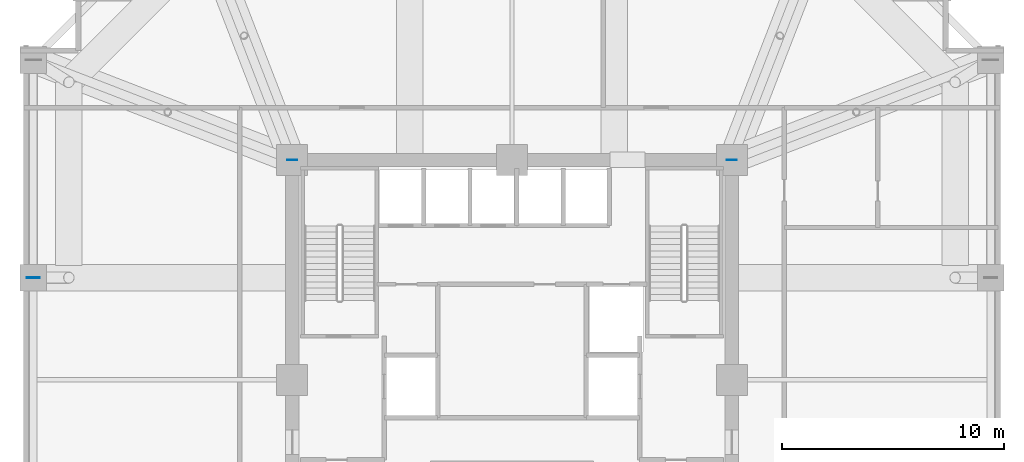
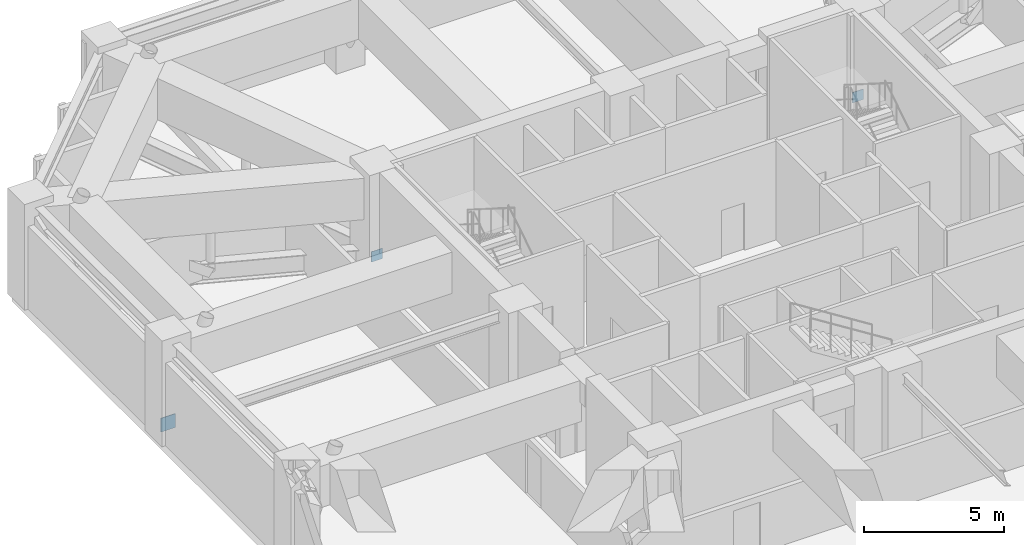
# One storey, part 9 of 15: 3 plates.
"""IFC4 building model written with IfcOpenShell, lengths in metres."""

import ifcopenshell
import ifcopenshell.guid

model = None  # the IFC model being written
_history = None  # IfcOwnerHistory: only IFC2X3 demands one
_inside = {}  # id of a spatial element -> (the spatial element, [elements in it])
_under = {}  # id of a project, library or spatial element -> (it, [spatial elements below it])
_declared = {}  # id of a project -> (the project, [libraries it declares])
_typed = {}  # id of a type object -> (the type object, [elements of that type])
_made_of = {}  # id of a material, layer set ... -> (it, [elements and type objects made of it])


def new_model(schema):
    """Start an empty IFC model of exactly this schema.

    Asked for "IFC4X3", IfcOpenShell would pick the latest addendum, in which some entities
    have other attributes; the version numbers below select the first issue.
    IFC2X3 requires an IfcOwnerHistory on every rooted entity: one is made here for all.
    """
    global model, _history
    if schema == "IFC4X3":
        model = ifcopenshell.file(schema_version=(4, 3, 0, 0))
    else:
        model = ifcopenshell.file(schema=schema)
    _inside.clear()
    _under.clear()
    _declared.clear()
    _typed.clear()
    _made_of.clear()
    _history = None
    if model.schema == "IFC2X3":
        org = make("IfcOrganization", Name="unknown")
        user = make(
            "IfcPersonAndOrganization",
            ThePerson=make("IfcPerson", FamilyName="unknown"),
            TheOrganization=org,
        )
        app = make(
            "IfcApplication",
            ApplicationDeveloper=org,
            Version="unknown",
            ApplicationFullName="unknown",
            ApplicationIdentifier="unknown",
        )
        _history = make(
            "IfcOwnerHistory",
            OwningUser=user,
            OwningApplication=app,
            ChangeAction="ADDED",
            CreationDate=0,
        )
    return model


def make(cls, **values):
    """One entity of the class cls with the attributes given. An attribute that is None is left unset."""
    return model.create_entity(
        cls, **{name: value for name, value in values.items() if value is not None}
    )


def rooted(cls, **values):
    """An entity with a GlobalId (a new one), such as an element, a storey or a relation."""
    return make(cls, GlobalId=ifcopenshell.guid.new(), OwnerHistory=_history, **values)


def si_unit(unit_type, name, prefix=None):
    """IfcSIUnit, for example si_unit("LENGTHUNIT", "METRE", prefix="MILLI")."""
    return make("IfcSIUnit", UnitType=unit_type, Prefix=prefix, Name=name)


def assignment(units):
    """IfcUnitAssignment: the units of a project."""
    return None if units is None else make("IfcUnitAssignment", Units=units)


def point(xyz):
    """IfcCartesianPoint."""
    return None if xyz is None else make("IfcCartesianPoint", Coordinates=xyz)


def direction(xyz):
    """IfcDirection."""
    return None if xyz is None else make("IfcDirection", DirectionRatios=xyz)


def frame(location, z_axis=None, x_axis=None):
    """IfcAxis2Placement3D, a coordinate frame: its origin and axes. An axis left out is left unset."""
    return make(
        "IfcAxis2Placement3D",
        Location=point(location),
        Axis=direction(z_axis),
        RefDirection=direction(x_axis),
    )


def frame_2d(location, x_axis=None):
    """IfcAxis2Placement2D, a coordinate frame in the plane: its origin and x axis."""
    return make(
        "IfcAxis2Placement2D", Location=point(location), RefDirection=direction(x_axis)
    )


def origin():
    """The frame at (0, 0, 0) with its axes left unset."""
    return frame((0.0, 0.0, 0.0))


def origin_2d():
    """The frame at (0, 0) in the plane with its x axis left unset."""
    return frame_2d((0.0, 0.0))


def place(relative_to, where):
    """IfcLocalPlacement: puts the frame where relative to a parent placement (None: the world)."""
    return make(
        "IfcLocalPlacement", PlacementRelTo=relative_to, RelativePlacement=where
    )


def context(
    kind, dimensions, precision=None, world=None, true_north=None, identifier=None
):
    """IfcGeometricRepresentationContext, for example the 3D "Model" context."""
    return make(
        "IfcGeometricRepresentationContext",
        ContextIdentifier=identifier,
        ContextType=kind,
        CoordinateSpaceDimension=dimensions,
        Precision=precision,
        WorldCoordinateSystem=world,
        TrueNorth=true_north,
    )


def subcontext(parent, identifier, kind, view, scale=None):
    """IfcGeometricRepresentationSubContext, for example "Body" below "Model"."""
    return make(
        "IfcGeometricRepresentationSubContext",
        ContextIdentifier=identifier,
        ContextType=kind,
        ParentContext=parent,
        TargetScale=scale,
        TargetView=view,
    )


def project(units=None, contexts=None):
    """IfcProject with its units and contexts."""
    return rooted(
        "IfcProject",
        Name="project",
        RepresentationContexts=contexts,
        UnitsInContext=assignment(units),
    )


def spatial(cls, under=None, at=None, **own):
    """A site, building, storey or space (cls), placed at a placement, below another one or the project."""
    s = rooted(cls, ObjectPlacement=at, **own)
    if under is not None:
        _under.setdefault(under.id(), (under, []))[1].append(s)
    return s


def profile(cls, at=None, kind="AREA", **sizes):
    """A parametric profile (cls). Its sizes go by their IFC names, for example OverallWidth=200.0."""
    return make(cls, ProfileType=kind, Position=at, **sizes)


def rectangle(**sizes):
    """IfcRectangleProfileDef."""
    return profile("IfcRectangleProfileDef", **sizes)


def extrude(swept, where, along, depth):
    """IfcExtrudedAreaSolid: the profile swept, set in the frame where, extruded along a direction by depth."""
    return make(
        "IfcExtrudedAreaSolid",
        SweptArea=swept,
        Position=where,
        ExtrudedDirection=direction(along),
        Depth=depth,
    )


def shape(context_of_items, identifier, shape_type, items):
    """IfcShapeRepresentation: the items that make up one representation, for example the "Body"."""
    return make(
        "IfcShapeRepresentation",
        ContextOfItems=context_of_items,
        RepresentationIdentifier=identifier,
        RepresentationType=shape_type,
        Items=items,
    )


def material(Name=None, Category=None):
    """IfcMaterial."""
    return make("IfcMaterial", Name=Name, Category=Category)


def layer(
    of_material, thickness, ventilated=None, Name=None, Category=None, Priority=None
):
    """IfcMaterialLayer: one layer of a wall or slab, of a material (None: an air gap)."""
    return make(
        "IfcMaterialLayer",
        Material=of_material,
        LayerThickness=thickness,
        IsVentilated=ventilated,
        Name=Name,
        Category=Category,
        Priority=Priority,
    )


def layer_set(layers, Name=None):
    """IfcMaterialLayerSet."""
    return make("IfcMaterialLayerSet", MaterialLayers=layers, LayerSetName=Name)


def made_of(thing, what):
    """Note that an element or type object is made of a material, layer set ...; save() writes the relation."""
    if what is not None:
        _made_of.setdefault(what.id(), (what, []))[1].append(thing)
    return thing


def type_object(cls, material=None, **own):
    """A type object (cls), such as IfcWallType, which elements share."""
    return made_of(rooted(cls, **own), material)


def element(
    cls,
    number,
    at=None,
    inside=None,
    cuts=None,
    type_object=None,
    material=None,
    context=None,
    identifier="Body",
    shape_type=None,
    held_by="IfcProductDefinitionShape",
    body=None,
    shapes=None,
    **own,
):
    """One element of the class cls, such as IfcWall. Its Tag is "e" and its number.

    at: its placement. inside: the storey or other place that contains it. cuts: it is an
    opening in that element (IfcRelVoidsElement). A single representation is given by context,
    identifier, shape_type and body (its items); several are given by shapes. held_by: the class
    of the entity that holds the representations. save() writes the other relations.
    """
    e = rooted(cls, Tag="e%d" % number, ObjectPlacement=at, **own)
    if body is not None:
        shapes = [shape(context, identifier, shape_type, body)]
    if shapes is not None:
        e.Representation = make(held_by, Representations=shapes)
    if inside is not None:
        _inside.setdefault(inside.id(), (inside, []))[1].append(e)
    if cuts is not None:
        rooted(
            "IfcRelVoidsElement", RelatingBuildingElement=cuts, RelatedOpeningElement=e
        )
    if type_object is not None:
        _typed.setdefault(type_object.id(), (type_object, []))[1].append(e)
    return made_of(e, material)


def aggregate(whole, parts):
    """IfcRelAggregates: a whole, such as a stair, and the parts it consists of."""
    return rooted("IfcRelAggregates", RelatingObject=whole, RelatedObjects=parts)


def save(model, path):
    """Write the relations noted so far, then the file.

    IfcRelAggregates (storeys below a building ...), IfcRelContainedInSpatialStructure (elements
    in a storey), IfcRelDefinesByType, IfcRelAssociatesMaterial and IfcRelDeclares: one each for
    every whole, place, type object, material and project.
    """
    for whole, parts in _under.values():
        aggregate(whole, parts)
    for where, things in _inside.values():
        rooted(
            "IfcRelContainedInSpatialStructure",
            RelatedElements=things,
            RelatingStructure=where,
        )
    for kind, things in _typed.values():
        rooted("IfcRelDefinesByType", RelatedObjects=things, RelatingType=kind)
    for what, things in _made_of.values():
        rooted("IfcRelAssociatesMaterial", RelatedObjects=things, RelatingMaterial=what)
    for by, libraries in _declared.values():
        rooted("IfcRelDeclares", RelatingContext=by, RelatedDefinitions=libraries)
    model.write(path)


model = new_model("IFC4")

# Units and contexts
model_context = context("Model", 3, precision=1e-05, world=origin(), true_north=direction((0.0, 1.0)))
body_context = subcontext(model_context, "Body", "Model", "MODEL_VIEW")
ifc_project = project(units=[si_unit("LENGTHUNIT", "METRE"), si_unit("AREAUNIT", "SQUARE_METRE"), si_unit("VOLUMEUNIT", "CUBIC_METRE"), si_unit("PLANEANGLEUNIT", "RADIAN"), si_unit("MASSUNIT", "GRAM", prefix="KILO")], contexts=[model_context])

# Site, building, storey
site_placement = place(None, origin())
site = spatial("IfcSite", under=ifc_project, at=site_placement, CompositionType="ELEMENT")
building_placement = place(site_placement, origin())
building = spatial("IfcBuilding", under=site, at=building_placement, Name="Kolvaren Belvedere", CompositionType="ELEMENT")
storey_placement = place(building_placement, frame((0.0, 0.0, 63.39990234375)))
storey = spatial("IfcBuildingStorey", under=building, at=storey_placement, Name="L18", CompositionType="ELEMENT", Elevation=63.39990234375)

# Plates
ifc_material_1 = material(Name="Structural steel ASTM A572 Grade 50", Category="steel")
ifc_layer_1 = layer(ifc_material_1, 0.02490234375)
ifc_layer_set_1 = layer_set([ifc_layer_1], Name="Structural steel ASTM A572 Grade 50")
plate_type_1 = type_object("IfcPlateType", Name="PL-GUSSET-25", PredefinedType="USERDEFINED", material=ifc_layer_set_1)
for number, where, z_axis, x_axis, name in (
    (1, (9.89990234375, 9.89990234375, 0.2548828125), (0.0, 0.0, 1.0), (1.0, 0.0, 0.0), "L18 Outrigger Node Cap Gusset OC-CC3"),
    (2, (-9.89990234375, 9.89990234375, 0.2548828125), (0.0, 0.0, 1.0), (1.0, 0.0, 0.0), "L18 Outrigger Node Cap Gusset OC-CC4"),
):
    element("IfcPlate", number, at=place(storey_placement, frame(where, z_axis=z_axis, x_axis=x_axis)), inside=storey, type_object=plate_type_1, Name=name, ObjectType="GUSSET PLATE", PredefinedType="USERDEFINED", context=body_context, shape_type="SweptSolid", body=[
        extrude(rectangle(XDim=0.449951171875, YDim=0.02490234375, at=origin_2d()), origin(), (0.0, 0.0, 1.0), 0.449951171875),
    ])
ifc_material_2 = material(Name="Structural steel ASTM A572 Grade 50", Category="steel")
ifc_layer_2 = layer(ifc_material_2, 0.031982421875)
ifc_layer_set_2 = layer_set([ifc_layer_2], Name="Structural steel ASTM A572 Grade 50")
plate_type_2 = type_object("IfcPlateType", Name="PL-GUSSET-32", PredefinedType="USERDEFINED", material=ifc_layer_set_2)
plate_placement = place(storey_placement, frame((-21.550048828125, 4.60009765625, 0.179931640625), z_axis=(0.0, 0.0, 1.0), x_axis=(1.0, 0.0, 0.0)))
element("IfcPlate", 3, at=plate_placement, inside=storey, type_object=plate_type_2, Name="L18 Belt Truss Node Gusset BN-6", ObjectType="GUSSET PLATE", PredefinedType="USERDEFINED", context=body_context, shape_type="SweptSolid", body=[
    extrude(rectangle(XDim=0.60009765625, YDim=0.031982421875, at=origin_2d()), origin(), (0.0, 0.0, 1.0), 0.60009765625),
])

save(model, "model.ifc")
